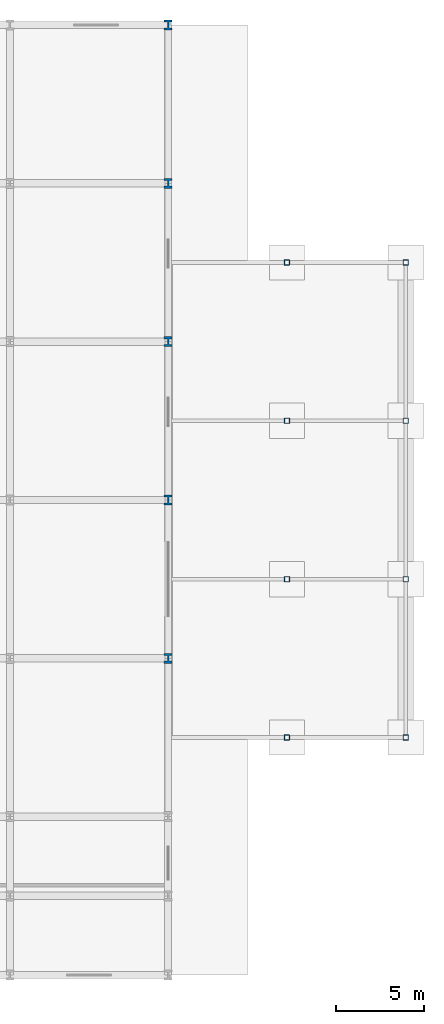
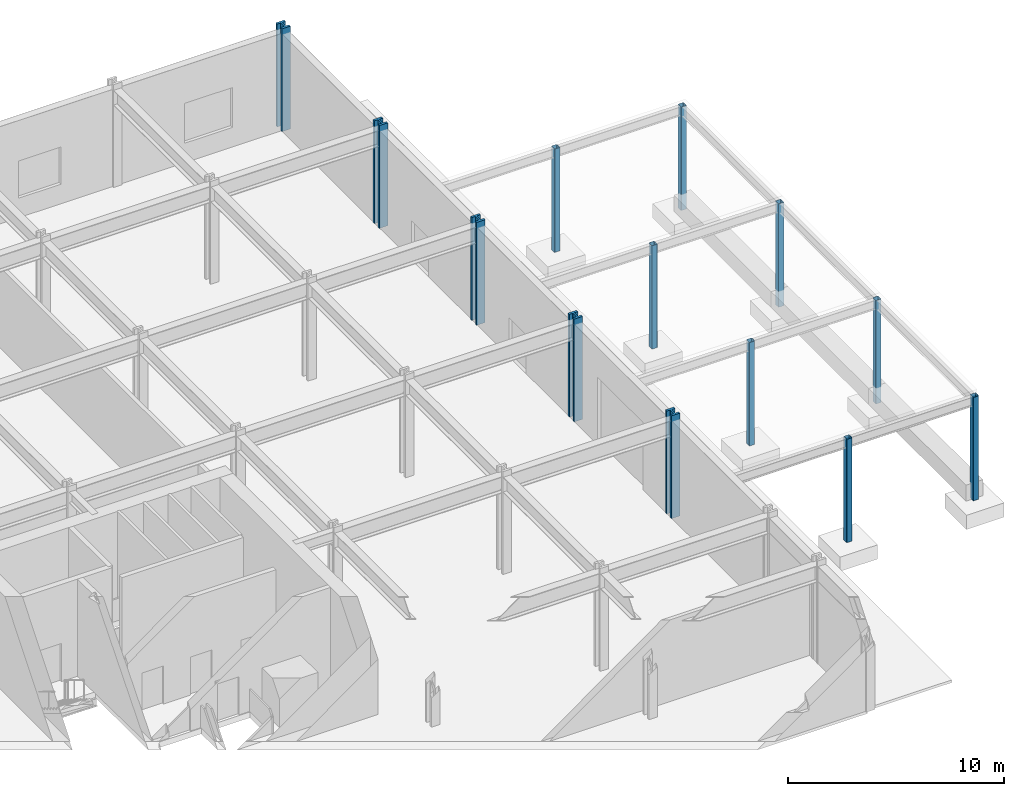
# One storey, part 6 of 19: 13 columns.
"""IFC4 building model written with IfcOpenShell, lengths in metres."""

import ifcopenshell
import ifcopenshell.guid

model = None  # the IFC model being written
_history = None  # IfcOwnerHistory: only IFC2X3 demands one
_inside = {}  # id of a spatial element -> (the spatial element, [elements in it])
_under = {}  # id of a project, library or spatial element -> (it, [spatial elements below it])
_declared = {}  # id of a project -> (the project, [libraries it declares])
_typed = {}  # id of a type object -> (the type object, [elements of that type])
_made_of = {}  # id of a material, layer set ... -> (it, [elements and type objects made of it])


def new_model(schema):
    """Start an empty IFC model of exactly this schema.

    Asked for "IFC4X3", IfcOpenShell would pick the latest addendum, in which some entities
    have other attributes; the version numbers below select the first issue.
    IFC2X3 requires an IfcOwnerHistory on every rooted entity: one is made here for all.
    """
    global model, _history
    if schema == "IFC4X3":
        model = ifcopenshell.file(schema_version=(4, 3, 0, 0))
    else:
        model = ifcopenshell.file(schema=schema)
    _inside.clear()
    _under.clear()
    _declared.clear()
    _typed.clear()
    _made_of.clear()
    _history = None
    if model.schema == "IFC2X3":
        org = make("IfcOrganization", Name="unknown")
        user = make(
            "IfcPersonAndOrganization",
            ThePerson=make("IfcPerson", FamilyName="unknown"),
            TheOrganization=org,
        )
        app = make(
            "IfcApplication",
            ApplicationDeveloper=org,
            Version="unknown",
            ApplicationFullName="unknown",
            ApplicationIdentifier="unknown",
        )
        _history = make(
            "IfcOwnerHistory",
            OwningUser=user,
            OwningApplication=app,
            ChangeAction="ADDED",
            CreationDate=0,
        )
    return model


def make(cls, **values):
    """One entity of the class cls with the attributes given. An attribute that is None is left unset."""
    return model.create_entity(
        cls, **{name: value for name, value in values.items() if value is not None}
    )


def rooted(cls, **values):
    """An entity with a GlobalId (a new one), such as an element, a storey or a relation."""
    return make(cls, GlobalId=ifcopenshell.guid.new(), OwnerHistory=_history, **values)


def si_unit(unit_type, name, prefix=None):
    """IfcSIUnit, for example si_unit("LENGTHUNIT", "METRE", prefix="MILLI")."""
    return make("IfcSIUnit", UnitType=unit_type, Prefix=prefix, Name=name)


def assignment(units):
    """IfcUnitAssignment: the units of a project."""
    return None if units is None else make("IfcUnitAssignment", Units=units)


def point(xyz):
    """IfcCartesianPoint."""
    return None if xyz is None else make("IfcCartesianPoint", Coordinates=xyz)


def direction(xyz):
    """IfcDirection."""
    return None if xyz is None else make("IfcDirection", DirectionRatios=xyz)


def frame(location, z_axis=None, x_axis=None):
    """IfcAxis2Placement3D, a coordinate frame: its origin and axes. An axis left out is left unset."""
    return make(
        "IfcAxis2Placement3D",
        Location=point(location),
        Axis=direction(z_axis),
        RefDirection=direction(x_axis),
    )


def frame_2d(location, x_axis=None):
    """IfcAxis2Placement2D, a coordinate frame in the plane: its origin and x axis."""
    return make(
        "IfcAxis2Placement2D", Location=point(location), RefDirection=direction(x_axis)
    )


def origin():
    """The frame at (0, 0, 0) with its axes left unset."""
    return frame((0.0, 0.0, 0.0))


def origin_2d():
    """The frame at (0, 0) in the plane with its x axis left unset."""
    return frame_2d((0.0, 0.0))


def place(relative_to, where):
    """IfcLocalPlacement: puts the frame where relative to a parent placement (None: the world)."""
    return make(
        "IfcLocalPlacement", PlacementRelTo=relative_to, RelativePlacement=where
    )


def context(
    kind, dimensions, precision=None, world=None, true_north=None, identifier=None
):
    """IfcGeometricRepresentationContext, for example the 3D "Model" context."""
    return make(
        "IfcGeometricRepresentationContext",
        ContextIdentifier=identifier,
        ContextType=kind,
        CoordinateSpaceDimension=dimensions,
        Precision=precision,
        WorldCoordinateSystem=world,
        TrueNorth=true_north,
    )


def subcontext(parent, identifier, kind, view, scale=None):
    """IfcGeometricRepresentationSubContext, for example "Body" below "Model"."""
    return make(
        "IfcGeometricRepresentationSubContext",
        ContextIdentifier=identifier,
        ContextType=kind,
        ParentContext=parent,
        TargetScale=scale,
        TargetView=view,
    )


def project(units=None, contexts=None):
    """IfcProject with its units and contexts."""
    return rooted(
        "IfcProject",
        Name="project",
        RepresentationContexts=contexts,
        UnitsInContext=assignment(units),
    )


def spatial(cls, under=None, at=None, **own):
    """A site, building, storey or space (cls), placed at a placement, below another one or the project."""
    s = rooted(cls, ObjectPlacement=at, **own)
    if under is not None:
        _under.setdefault(under.id(), (under, []))[1].append(s)
    return s


def profile(cls, at=None, kind="AREA", **sizes):
    """A parametric profile (cls). Its sizes go by their IFC names, for example OverallWidth=200.0."""
    return make(cls, ProfileType=kind, Position=at, **sizes)


def hollow_rectangle(**sizes):
    """IfcRectangleHollowProfileDef."""
    return profile("IfcRectangleHollowProfileDef", **sizes)


def i_section(**sizes):
    """IfcIShapeProfileDef."""
    return profile("IfcIShapeProfileDef", **sizes)


def extrude(swept, where, along, depth):
    """IfcExtrudedAreaSolid: the profile swept, set in the frame where, extruded along a direction by depth."""
    return make(
        "IfcExtrudedAreaSolid",
        SweptArea=swept,
        Position=where,
        ExtrudedDirection=direction(along),
        Depth=depth,
    )


def shape(context_of_items, identifier, shape_type, items):
    """IfcShapeRepresentation: the items that make up one representation, for example the "Body"."""
    return make(
        "IfcShapeRepresentation",
        ContextOfItems=context_of_items,
        RepresentationIdentifier=identifier,
        RepresentationType=shape_type,
        Items=items,
    )


def material(Name=None, Category=None):
    """IfcMaterial."""
    return make("IfcMaterial", Name=Name, Category=Category)


def material_profile(
    of_material, cross_section, Name=None, Category=None, Priority=None
):
    """IfcMaterialProfile: a cross section and its material."""
    return make(
        "IfcMaterialProfile",
        Name=Name,
        Material=of_material,
        Profile=cross_section,
        Priority=Priority,
        Category=Category,
    )


def profile_set(profiles, Name=None, composite=None):
    """IfcMaterialProfileSet."""
    return make(
        "IfcMaterialProfileSet",
        Name=Name,
        MaterialProfiles=profiles,
        CompositeProfile=composite,
    )


def made_of(thing, what):
    """Note that an element or type object is made of a material, layer set ...; save() writes the relation."""
    if what is not None:
        _made_of.setdefault(what.id(), (what, []))[1].append(thing)
    return thing


def type_object(cls, material=None, **own):
    """A type object (cls), such as IfcWallType, which elements share."""
    return made_of(rooted(cls, **own), material)


def element(
    cls,
    number,
    at=None,
    inside=None,
    cuts=None,
    type_object=None,
    material=None,
    context=None,
    identifier="Body",
    shape_type=None,
    held_by="IfcProductDefinitionShape",
    body=None,
    shapes=None,
    **own,
):
    """One element of the class cls, such as IfcWall. Its Tag is "e" and its number.

    at: its placement. inside: the storey or other place that contains it. cuts: it is an
    opening in that element (IfcRelVoidsElement). A single representation is given by context,
    identifier, shape_type and body (its items); several are given by shapes. held_by: the class
    of the entity that holds the representations. save() writes the other relations.
    """
    e = rooted(cls, Tag="e%d" % number, ObjectPlacement=at, **own)
    if body is not None:
        shapes = [shape(context, identifier, shape_type, body)]
    if shapes is not None:
        e.Representation = make(held_by, Representations=shapes)
    if inside is not None:
        _inside.setdefault(inside.id(), (inside, []))[1].append(e)
    if cuts is not None:
        rooted(
            "IfcRelVoidsElement", RelatingBuildingElement=cuts, RelatedOpeningElement=e
        )
    if type_object is not None:
        _typed.setdefault(type_object.id(), (type_object, []))[1].append(e)
    return made_of(e, material)


def aggregate(whole, parts):
    """IfcRelAggregates: a whole, such as a stair, and the parts it consists of."""
    return rooted("IfcRelAggregates", RelatingObject=whole, RelatedObjects=parts)


def save(model, path):
    """Write the relations noted so far, then the file.

    IfcRelAggregates (storeys below a building ...), IfcRelContainedInSpatialStructure (elements
    in a storey), IfcRelDefinesByType, IfcRelAssociatesMaterial and IfcRelDeclares: one each for
    every whole, place, type object, material and project.
    """
    for whole, parts in _under.values():
        aggregate(whole, parts)
    for where, things in _inside.values():
        rooted(
            "IfcRelContainedInSpatialStructure",
            RelatedElements=things,
            RelatingStructure=where,
        )
    for kind, things in _typed.values():
        rooted("IfcRelDefinesByType", RelatedObjects=things, RelatingType=kind)
    for what, things in _made_of.values():
        rooted("IfcRelAssociatesMaterial", RelatedObjects=things, RelatingMaterial=what)
    for by, libraries in _declared.values():
        rooted("IfcRelDeclares", RelatingContext=by, RelatedDefinitions=libraries)
    model.write(path)


model = new_model("IFC4")

# Units and contexts
model_context = context("Model", 3, precision=1e-05, world=origin(), true_north=direction((0.0, 1.0)))
body_context = subcontext(model_context, "Body", "Model", "MODEL_VIEW")
ifc_project = project(units=[si_unit("LENGTHUNIT", "METRE"), si_unit("AREAUNIT", "SQUARE_METRE"), si_unit("VOLUMEUNIT", "CUBIC_METRE"), si_unit("PLANEANGLEUNIT", "RADIAN"), si_unit("MASSUNIT", "GRAM", prefix="KILO")], contexts=[model_context])

# Site, building, storey
site_placement = place(None, origin())
site = spatial("IfcSite", under=ifc_project, at=site_placement, CompositionType="ELEMENT")
building_placement = place(site_placement, origin())
building = spatial("IfcBuilding", under=site, at=building_placement, Name="Solvaryn Broadcast Tower", CompositionType="ELEMENT")
storey_placement = place(building_placement, origin())
storey = spatial("IfcBuildingStorey", under=building, at=storey_placement, Name="L00", CompositionType="ELEMENT", Elevation=0.0)

# Columns
ifc_material_1 = material(Name="Steel ASTM A913 Grade 65", Category="steel")
ifc_material_profile_1 = material_profile(ifc_material_1, i_section(OverallWidth=0.4541015625, OverallDepth=0.569091796875, WebThickness=0.077880859375, FlangeThickness=0.124755859375, FilletRadius=0.014892578125, at=origin_2d()))
ifc_profile_set_1 = profile_set([ifc_material_profile_1], Name="Steel ASTM A913 Grade 65")
column_type_1 = type_object("IfcColumnType", Name="COL-C01E-W14X730", PredefinedType="COLUMN", material=ifc_profile_set_1)
for number, where, z_axis, x_axis, name in (
    (1, (63.0, 18.0, 0.0), (0.0, 0.0, 1.0), (1.0, 0.0, 0.0), "L00 Column (63.0, 18.0)"),
    (2, (63.0, 27.0, 0.0), (0.0, 0.0, 1.0), (1.0, 0.0, 0.0), "L00 Column (63.0, 27.0)"),
    (3, (63.0, 36.0, 0.0), (0.0, 0.0, 1.0), (1.0, 0.0, 0.0), "L00 Column (63.0, 36.0)"),
    (4, (63.0, 45.0, 0.0), (0.0, 0.0, 1.0), (1.0, 0.0, 0.0), "L00 Column (63.0, 45.0)"),
    (5, (63.0, 54.0, 0.0), (0.0, 0.0, 1.0), (1.0, 0.0, 0.0), "L00 Column (63.0, 54.0)"),
):
    element("IfcColumn", number, at=place(storey_placement, frame(where, z_axis=z_axis, x_axis=x_axis)), inside=storey, type_object=column_type_1, Name=name, PredefinedType="COLUMN", context=body_context, shape_type="SweptSolid", body=[
        extrude(i_section(OverallWidth=0.4541015625, OverallDepth=0.569091796875, WebThickness=0.077880859375, FlangeThickness=0.124755859375, FilletRadius=0.014892578125, at=origin_2d()), origin(), (0.0, 0.0, 1.0), 5.800048828125),
    ])
ifc_material_2 = material(Name="Steel ASTM A500 Grade C", Category="steel")
ifc_material_profile_2 = material_profile(ifc_material_2, hollow_rectangle(XDim=0.300048828125, YDim=0.300048828125, WallThickness=0.01416015625, InnerFilletRadius=0.01416015625, OuterFilletRadius=0.0283203125, at=origin_2d()))
ifc_profile_set_2 = profile_set([ifc_material_profile_2], Name="Steel ASTM A500 Grade C")
column_type_2 = type_object("IfcColumnType", Name="COL-CANOPY-HSS", PredefinedType="COLUMN", material=ifc_profile_set_2)
for number, where, z_axis, x_axis, name in (
    (6, (76.5, 13.5, -1.10009765625), (0.0, 0.0, 1.0), (1.0, 0.0, 0.0), "East OB Canopy Column 1"),
    (7, (69.75, 13.5, -1.10009765625), (0.0, 0.0, 1.0), (1.0, 0.0, 0.0), "East OB Mid Canopy Column 1"),
    (8, (76.5, 22.5, -1.10009765625), (0.0, 0.0, 1.0), (1.0, 0.0, 0.0), "East OB Canopy Column 2"),
    (9, (69.75, 22.5, -1.10009765625), (0.0, 0.0, 1.0), (1.0, 0.0, 0.0), "East OB Mid Canopy Column 2"),
    (10, (76.5, 31.5, -1.10009765625), (0.0, 0.0, 1.0), (1.0, 0.0, 0.0), "East OB Canopy Column 3"),
    (11, (69.75, 31.5, -1.10009765625), (0.0, 0.0, 1.0), (1.0, 0.0, 0.0), "East OB Mid Canopy Column 3"),
    (12, (76.5, 40.5, -1.10009765625), (0.0, 0.0, 1.0), (1.0, 0.0, 0.0), "East OB Canopy Column 4"),
    (13, (69.75, 40.5, -1.10009765625), (0.0, 0.0, 1.0), (1.0, 0.0, 0.0), "East OB Mid Canopy Column 4"),
):
    element("IfcColumn", number, at=place(storey_placement, frame(where, z_axis=z_axis, x_axis=x_axis)), inside=storey, type_object=column_type_2, Name=name, PredefinedType="COLUMN", context=body_context, shape_type="SweptSolid", body=[
        extrude(hollow_rectangle(XDim=0.300048828125, YDim=0.300048828125, WallThickness=0.01416015625, InnerFilletRadius=0.01416015625, OuterFilletRadius=0.0283203125, at=origin_2d()), origin(), (0.0, 0.0, 1.0), 5.830078125),
    ])

save(model, "model.ifc")
